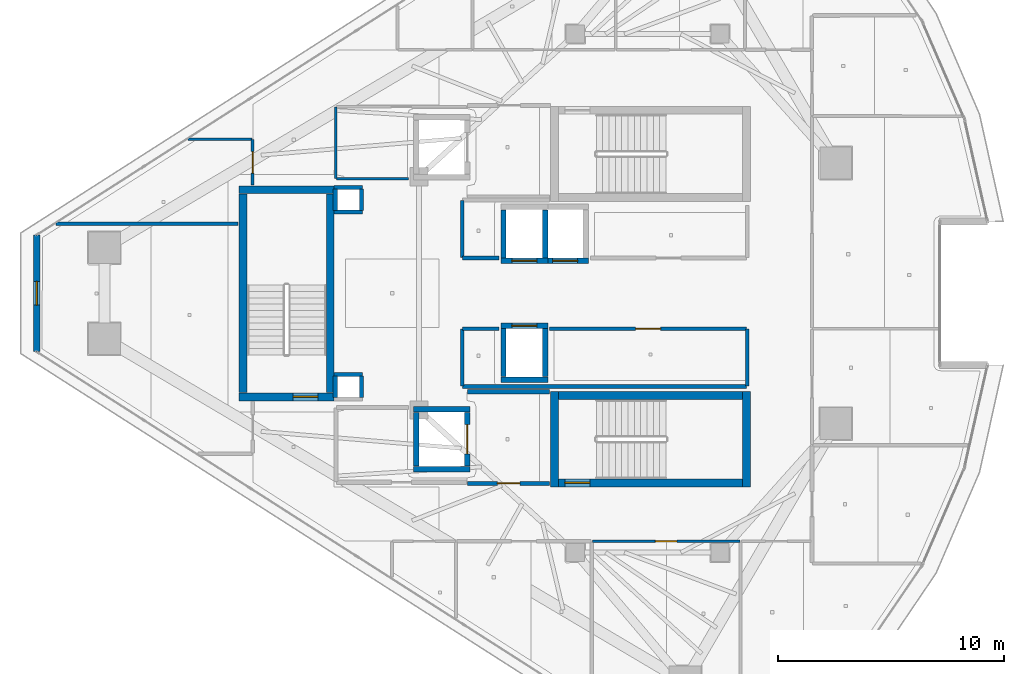
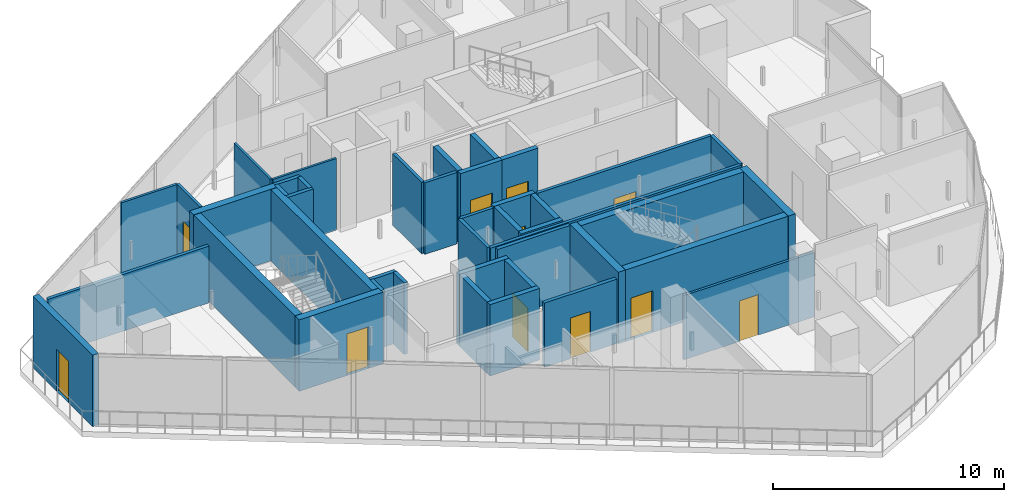
# One storey, part 18 of 26: 43 walls, 11 doors, 11 openings.
"""IFC4 building model written with IfcOpenShell, lengths in metres."""

from ifc_helpers import new_model, si_unit, direction, frame, frame_2d, origin, place, context, subcontext, project, spatial, rectangle, extrude, material, layer, layer_set, type_object, element, fill, save


model = new_model("IFC4")

# Units and contexts
model_context = context("Model", 3, precision=1e-05, world=origin(), true_north=direction((0.0, 1.0)))
body_context = subcontext(model_context, "Body", "Model", "MODEL_VIEW")
ifc_project = project(units=[si_unit("LENGTHUNIT", "METRE"), si_unit("AREAUNIT", "SQUARE_METRE"), si_unit("VOLUMEUNIT", "CUBIC_METRE"), si_unit("PLANEANGLEUNIT", "RADIAN"), si_unit("MASSUNIT", "GRAM", prefix="KILO")], contexts=[model_context])

# Site, building, storey
site_placement = place(None, origin())
site = spatial("IfcSite", under=ifc_project, at=site_placement, CompositionType="ELEMENT")
building_placement = place(site_placement, origin())
building = spatial("IfcBuilding", under=site, at=building_placement, Name="Qorvath Tower", CompositionType="ELEMENT")
storey_placement = place(building_placement, frame((0.0, 0.0, 322.800048828125)))
storey = spatial("IfcBuildingStorey", under=building, at=storey_placement, Name="L75", CompositionType="ELEMENT", Elevation=322.800048828125)

# Walls
ifc_material_1 = material(Name="Gypsum shaftliner on steel studs", Category="steel")
ifc_layer_1 = layer(ifc_material_1, 0.179931640625)
ifc_layer_set_1 = layer_set([ifc_layer_1], Name="FW-LOBBY")
wall_type_1 = type_object("IfcWallType", Name="FW-LOBBY", PredefinedType="PARTITIONING", material=ifc_layer_set_1)
for number, where, z_axis, x_axis, name in (
    (1, (-32.989990234375, 3.594970703125, 0.0), (0.0, 0.0, 1.0), (-1.0, 0.0, 0.0), "MEP Riser Shaft Enclosure Wall N-L75-S"),
    (2, (-34.260009765625, 4.675048828125, 0.0), (0.0, 0.0, 1.0), (1.0, 0.0, 0.0), "MEP Riser Shaft Enclosure Wall N-L75-N"),
):
    element("IfcWall", number, at=place(storey_placement, frame(where, z_axis=z_axis, x_axis=x_axis)), inside=storey, type_object=wall_type_1, Name=name, PredefinedType="PARTITIONING", context=body_context, shape_type="SweptSolid", body=[
        extrude(rectangle(XDim=1.27001953125, YDim=0.179931640625, at=frame_2d((0.635009765625, 0.0))), origin(), (0.0, 0.0, 1.0), 3.780029296875),
    ])
for number, where, z_axis, x_axis, name in (
    (3, (-34.205078125, 3.659912109375, 0.0), (0.0, 0.0, 1.0), (0.0, 1.0, 0.0), "MEP Riser Shaft Enclosure Wall N-L75-W"),
    (4, (-33.044921875, 4.610107421875, 0.0), (0.0, 0.0, 1.0), (0.0, -1.0, 0.0), "MEP Riser Shaft Enclosure Wall N-L75-E"),
):
    element("IfcWall", number, at=place(storey_placement, frame(where, z_axis=z_axis, x_axis=x_axis)), inside=storey, type_object=wall_type_1, Name=name, PredefinedType="PARTITIONING", context=body_context, shape_type="SweptSolid", body=[
        extrude(rectangle(XDim=0.9501953125, YDim=0.179931640625, at=frame_2d((0.47509765625, 0.0))), origin(), (0.0, 0.0, 1.0), 3.780029296875),
    ])
wall_1_placement = place(storey_placement, frame((-34.260009765625, -3.594970703125, 0.0), z_axis=(0.0, 0.0, 1.0), x_axis=(1.0, 0.0, 0.0)))
element("IfcWall", 5, at=wall_1_placement, inside=storey, type_object=wall_type_1, Name="MEP Riser Shaft Enclosure Wall S-L75-N", PredefinedType="PARTITIONING", context=body_context, shape_type="SweptSolid", body=[
    extrude(rectangle(XDim=1.27001953125, YDim=0.179931640625, at=frame_2d((0.635009765625, 0.0))), origin(), (0.0, 0.0, 1.0), 3.780029296875),
])
for number, where, z_axis, x_axis, name in (
    (6, (-34.205078125, -4.610107421875, 0.0), (0.0, 0.0, 1.0), (0.0, 1.0, 0.0), "MEP Riser Shaft Enclosure Wall S-L75-W"),
    (7, (-33.044921875, -3.659912109375, 0.0), (0.0, 0.0, 1.0), (0.0, -1.0, 0.0), "MEP Riser Shaft Enclosure Wall S-L75-E"),
):
    element("IfcWall", number, at=place(storey_placement, frame(where, z_axis=z_axis, x_axis=x_axis)), inside=storey, type_object=wall_type_1, Name=name, PredefinedType="PARTITIONING", context=body_context, shape_type="SweptSolid", body=[
        extrude(rectangle(XDim=0.9501953125, YDim=0.179931640625, at=frame_2d((0.47509765625, 0.0))), origin(), (0.0, 0.0, 1.0), 3.780029296875),
    ])

# Wall, opening, door
wall_2_placement = place(storey_placement, frame((-28.35498046875, -8.39990234375, 0.0), z_axis=(0.0, 0.0, 1.0), x_axis=(1.0, 0.0, 0.0)))
wall_2 = element("IfcWall", 8, at=wall_2_placement, inside=storey, type_object=wall_type_1, Name="Interior Partition IW-T1-L75-003", PredefinedType="PARTITIONING", context=body_context, shape_type="SweptSolid", body=[
    extrude(rectangle(XDim=3.6220703125, YDim=0.179931640625, at=frame_2d((1.81103515625, 0.0))), origin(), (0.0, 0.0, 1.0), 3.39892578125),
])
opening_1_placement = place(wall_2_placement, frame((1.31103515625, 0.0, 0.0)))
opening_1 = element("IfcOpeningElement", 9, at=opening_1_placement, cuts=wall_2, Name="Opening D-T1-L75-02", PredefinedType="OPENING", context=body_context, shape_type="SweptSolid", body=[
    extrude(rectangle(XDim=1.0, YDim=2.14990234375, at=frame_2d((0.5, 1.074951171875))), frame((0.0, 0.10009765625, 0.0), z_axis=(0.0, -1.0, 0.0), x_axis=(1.0, 0.0, 0.0)), (0.0, 0.0, 1.0), 0.199951171875),
])
ifc_material_2 = material(Name="Painted galvanised hollow metal", Category="steel")
door_type_1 = type_object("IfcDoorType", Name="FD-60", OperationType="NOTDEFINED", PredefinedType="DOOR", material=ifc_material_2)
door_1_placement = place(opening_1_placement, origin())
door_1 = element("IfcDoor", 10, at=door_1_placement, inside=storey, type_object=door_type_1, Name="Lobby Fire Service Elevator South Door D-T1-L75-02", OperationType="SINGLE_SWING_RIGHT", OverallHeight=2.14990234375, OverallWidth=1.0, PredefinedType="DOOR", context=body_context, shape_type="SweptSolid", body=[
    extrude(rectangle(XDim=1.0, YDim=2.14990234375, at=frame_2d((0.5, 1.074951171875))), frame((0.0, 0.02490234375, 0.0), z_axis=(0.0, -1.0, 0.0), x_axis=(1.0, 0.0, 0.0)), (0.0, 0.0, 1.0), 0.050048828125),
])
fill(opening_1, door_1)

# Walls
wall_3_placement = place(storey_placement, frame((-24.73291015625, -4.35009765625, 0.0), z_axis=(0.0, 0.0, 1.0), x_axis=(-1.0, 0.0, 0.0)))
element("IfcWall", 11, at=wall_3_placement, inside=storey, type_object=wall_type_1, Name="Interior Partition IW-T1-L75-004", PredefinedType="PARTITIONING", context=body_context, shape_type="SweptSolid", body=[
    extrude(rectangle(XDim=3.6220703125, YDim=0.179931640625, at=frame_2d((1.81103515625, 0.0))), origin(), (0.0, 0.0, 1.0), 3.780029296875),
])
ifc_material_3 = material(Name="Double acoustic gypsum board on steel studs", Category="steel")
ifc_layer_2 = layer(ifc_material_3, 0.159912109375)
ifc_layer_set_2 = layer_set([ifc_layer_2], Name="IW-ACOUSTIC-160")
wall_type_2 = type_object("IfcWallType", Name="IW-ACOUSTIC-160", PredefinedType="PARTITIONING", material=ifc_layer_set_2)
wall_4_placement = place(storey_placement, frame((-28.60009765625, 4.09521484375, 0.0), z_axis=(0.0, 0.0, 1.0), x_axis=(0.0, -1.0, 0.0)))
element("IfcWall", 12, at=wall_4_placement, inside=storey, type_object=wall_type_2, Name="Interior Partition IW-T1-L75-008", PredefinedType="PARTITIONING", context=body_context, shape_type="SweptSolid", body=[
    extrude(rectangle(XDim=2.510009765625, YDim=0.159912109375, at=frame_2d((1.2548828125, 0.0))), origin(), (0.0, 0.0, 1.0), 3.780029296875),
])
wall_5_placement = place(storey_placement, frame((-28.5751953125, 1.56005859375, 0.0), z_axis=(0.0, 0.0, 1.0), x_axis=(1.0, 0.0, 0.0)))
element("IfcWall", 13, at=wall_5_placement, inside=storey, type_object=wall_type_2, Name="Interior Partition IW-T1-L75-009", PredefinedType="PARTITIONING", context=body_context, shape_type="SweptSolid", body=[
    extrude(rectangle(XDim=1.609130859375, YDim=0.159912109375, at=frame_2d((0.8046875, 0.0))), origin(), (0.0, 0.0, 1.0), 3.780029296875),
])
wall_6_placement = place(storey_placement, frame((-28.60009765625, -1.585205078125, 0.0), z_axis=(0.0, 0.0, 1.0), x_axis=(0.0, -1.0, 0.0)))
element("IfcWall", 14, at=wall_6_placement, inside=storey, type_object=wall_type_2, Name="Interior Partition IW-T1-L75-013", PredefinedType="PARTITIONING", context=body_context, shape_type="SweptSolid", body=[
    extrude(rectangle(XDim=2.510009765625, YDim=0.159912109375, at=frame_2d((1.2548828125, 0.0))), origin(), (0.0, 0.0, 1.0), 3.780029296875),
])
wall_7_placement = place(storey_placement, frame((-28.5751953125, -4.1201171875, 0.0), z_axis=(0.0, 0.0, 1.0), x_axis=(1.0, 0.0, 0.0)))
element("IfcWall", 15, at=wall_7_placement, inside=storey, type_object=wall_type_2, Name="Interior Partition IW-T1-L75-014", PredefinedType="PARTITIONING", context=body_context, shape_type="SweptSolid", body=[
    extrude(rectangle(XDim=12.55029296875, YDim=0.159912109375, at=frame_2d((6.275146484375, 0.0))), origin(), (0.0, 0.0, 1.0), 3.780029296875),
])
wall_8_placement = place(storey_placement, frame((-16.0, -4.09521484375, 0.0), z_axis=(0.0, 0.0, 1.0), x_axis=(0.0, 1.0, 0.0)))
element("IfcWall", 16, at=wall_8_placement, inside=storey, type_object=wall_type_2, Name="Interior Partition IW-T1-L75-015", PredefinedType="PARTITIONING", context=body_context, shape_type="SweptSolid", body=[
    extrude(rectangle(XDim=2.510009765625, YDim=0.159912109375, at=frame_2d((1.2548828125, 0.0))), origin(), (0.0, 0.0, 1.0), 3.780029296875),
])

# Wall, opening, door
wall_9_placement = place(storey_placement, frame((-16.02490234375, -1.56005859375, 0.0), z_axis=(0.0, 0.0, 1.0), x_axis=(-1.0, 0.0, 0.0)))
wall_9 = element("IfcWall", 17, at=wall_9_placement, inside=storey, type_object=wall_type_2, Name="Interior Partition IW-T1-L75-016", PredefinedType="PARTITIONING", context=body_context, shape_type="SweptSolid", body=[
    extrude(rectangle(XDim=8.708984375, YDim=0.159912109375, at=frame_2d((4.3544921875, 0.0))), origin(), (0.0, 0.0, 1.0), 3.780029296875),
])
opening_2_placement = place(wall_9_placement, frame((3.804443359375, 0.0, 0.0)))
opening_2 = element("IfcOpeningElement", 18, at=opening_2_placement, cuts=wall_9, Name="Opening D-T1-L75-05", PredefinedType="OPENING", context=body_context, shape_type="SweptSolid", body=[
    extrude(rectangle(XDim=1.10009765625, YDim=2.14990234375, at=frame_2d((0.550048828125, 1.074951171875))), frame((0.0, 0.08984375, 0.0), z_axis=(0.0, -1.0, 0.0), x_axis=(1.0, 0.0, 0.0)), (0.0, 0.0, 1.0), 0.179931640625),
])
ifc_material_4 = material(Name="Anodised aluminium acoustic framed glass", Category="aluminium")
door_type_2 = type_object("IfcDoorType", Name="D-03", OperationType="NOTDEFINED", PredefinedType="DOOR", material=ifc_material_4)
door_2_placement = place(opening_2_placement, origin())
door_2 = element("IfcDoor", 19, at=door_2_placement, inside=storey, type_object=door_type_2, Name="L75-RCS South Executive Boardroom Door D-T1-L75-05", OperationType="SINGLE_SWING_LEFT", OverallHeight=2.14990234375, OverallWidth=1.10009765625, PredefinedType="DOOR", context=body_context, shape_type="SweptSolid", body=[
    extrude(rectangle(XDim=1.10009765625, YDim=2.14990234375, at=frame_2d((0.550048828125, 1.074951171875))), frame((0.0, 0.02490234375, 0.0), z_axis=(0.0, -1.0, 0.0), x_axis=(1.0, 0.0, 0.0)), (0.0, 0.0, 1.0), 0.050048828125),
])
fill(opening_2, door_2)

# Walls
wall_10_placement = place(storey_placement, frame((-26.966064453125, -1.56005859375, 0.0), z_axis=(0.0, 0.0, 1.0), x_axis=(-1.0, 0.0, 0.0)))
element("IfcWall", 20, at=wall_10_placement, inside=storey, type_object=wall_type_2, Name="Interior Partition IW-T1-L75-017", PredefinedType="PARTITIONING", context=body_context, shape_type="SweptSolid", body=[
    extrude(rectangle(XDim=1.609130859375, YDim=0.159912109375, at=frame_2d((0.8046875, 0.0))), origin(), (0.0, 0.0, 1.0), 3.780029296875),
])
wall_11_placement = place(storey_placement, frame((-38.492919921875, 3.073974609375, 0.0), z_axis=(0.0, 0.0, 1.0), x_axis=(-0.99999999954, -3.0323246e-05, 0.0)))
element("IfcWall", 21, at=wall_11_placement, inside=storey, type_object=wall_type_2, Name="Interior Partition IW-T1-L75-048", PredefinedType="PARTITIONING", context=body_context, shape_type="SweptSolid", body=[
    extrude(rectangle(XDim=8.05126953125, YDim=0.159912109375, at=frame_2d((4.025634765625, 0.0))), origin(), (0.0, 0.0, 1.0), 3.0),
])

# Wall, opening, door
ifc_material_5 = material(Name="Gypsum board on metal studs with mineral wool", Category="gypsum")
ifc_layer_3 = layer(ifc_material_5, 0.125)
ifc_layer_set_3 = layer_set([ifc_layer_3], Name="IW-PART-125")
wall_type_3 = type_object("IfcWallType", Name="IW-PART-125", PredefinedType="PARTITIONING", material=ifc_layer_set_3)
wall_12_placement = place(storey_placement, frame((-16.321533203125, -10.9580078125, 0.0), z_axis=(0.0, 0.0, 1.0), x_axis=(-1.0, 0.0, 0.0)))
wall_12 = element("IfcWall", 22, at=wall_12_placement, inside=storey, type_object=wall_type_3, Name="Interior Partition IW-T1-L75-036", PredefinedType="PARTITIONING", context=body_context, shape_type="SweptSolid", body=[
    extrude(rectangle(XDim=6.5224609375, YDim=0.125, at=frame_2d((3.26123046875, 0.0))), origin(), (0.0, 0.0, 1.0), 3.39892578125),
])
opening_3_placement = place(wall_12_placement, frame((2.7861328125, 0.0, 0.0)))
opening_3 = element("IfcOpeningElement", 23, at=opening_3_placement, cuts=wall_12, Name="Opening D-T1-L75-13", PredefinedType="OPENING", context=body_context, shape_type="SweptSolid", body=[
    extrude(rectangle(XDim=0.949951171875, YDim=2.14990234375, at=frame_2d((0.47509765625, 1.074951171875))), frame((0.0, 0.072509765625, 0.0), z_axis=(0.0, -1.0, 0.0), x_axis=(1.0, 0.0, 0.0)), (0.0, 0.0, 1.0), 0.14501953125),
])
ifc_material_6 = material(Name="Solid-core American white oak veneer", Category="wood")
door_type_3 = type_object("IfcDoorType", Name="D-01", OperationType="NOTDEFINED", PredefinedType="DOOR", material=ifc_material_6)
door_3_placement = place(opening_3_placement, origin())
door_3 = element("IfcDoor", 24, at=door_3_placement, inside=storey, type_object=door_type_3, Name="L75-07 Open Workplace Studio Door D-T1-L75-13", OperationType="SINGLE_SWING_LEFT", OverallHeight=2.14990234375, OverallWidth=0.949951171875, PredefinedType="DOOR", context=body_context, shape_type="SweptSolid", body=[
    extrude(rectangle(XDim=0.949951171875, YDim=2.14990234375, at=frame_2d((0.47509765625, 1.074951171875))), frame((0.0, 0.02490234375, 0.0), z_axis=(0.0, -1.0, 0.0), x_axis=(1.0, 0.0, 0.0)), (0.0, 0.0, 1.0), 0.050048828125),
])
fill(opening_3, door_3)

wall_13_placement = place(storey_placement, frame((-37.85791015625, 4.783203125, 0.0), z_axis=(0.0, 0.0, 1.0), x_axis=(0.0, 1.0, 0.0)))
wall_13 = element("IfcWall", 25, at=wall_13_placement, inside=storey, type_object=wall_type_3, Name="Interior Partition IW-T1-L75-050", PredefinedType="PARTITIONING", context=body_context, shape_type="SweptSolid", body=[
    extrude(rectangle(XDim=2.00048828125, YDim=0.125, at=frame_2d((1.000244140625, 0.0))), origin(), (0.0, 0.0, 1.0), 3.780029296875),
])
opening_4_placement = place(wall_13_placement, frame((0.525146484375, 0.0, 0.0)))
opening_4 = element("IfcOpeningElement", 26, at=opening_4_placement, cuts=wall_13, Name="Opening D-T1-L75-20", PredefinedType="OPENING", context=body_context, shape_type="SweptSolid", body=[
    extrude(rectangle(XDim=0.949951171875, YDim=2.14990234375, at=frame_2d((0.47509765625, 1.074951171875))), frame((0.0, 0.072509765625, 0.0), z_axis=(0.0, -1.0, 0.0), x_axis=(1.0, 0.0, 0.0)), (0.0, 0.0, 1.0), 0.14501953125),
])
door_4_placement = place(opening_4_placement, origin())
door_4 = element("IfcDoor", 27, at=door_4_placement, inside=storey, type_object=door_type_3, Name="L75-14 Engineering Documentation Suite Door D-T1-L75-20", OperationType="SINGLE_SWING_RIGHT", OverallHeight=2.14990234375, OverallWidth=0.949951171875, PredefinedType="DOOR", context=body_context, shape_type="SweptSolid", body=[
    extrude(rectangle(XDim=0.949951171875, YDim=2.14990234375, at=frame_2d((0.47509765625, 1.074951171875))), frame((0.0, 0.02490234375, 0.0), z_axis=(0.0, -1.0, 0.0), x_axis=(1.0, 0.0, 0.0)), (0.0, 0.0, 1.0), 0.050048828125),
])
fill(opening_4, door_4)

# Walls
wall_14_placement = place(storey_placement, frame((-37.8828125, 6.80859375, 0.0), z_axis=(0.0, 0.0, 1.0), x_axis=(-1.0, 0.0, 0.0)))
element("IfcWall", 28, at=wall_14_placement, inside=storey, type_object=wall_type_3, Name="Interior Partition IW-T1-L75-051", PredefinedType="PARTITIONING", context=body_context, shape_type="SweptSolid", body=[
    extrude(rectangle(XDim=2.817626953125, YDim=0.125, at=frame_2d((1.40869140625, 0.0))), origin(), (0.0, 0.0, 1.0), 3.780029296875),
])
ifc_material_7 = material(Name="Moisture-resistant cement board on metal studs", Category="gypsum")
ifc_layer_4 = layer(ifc_material_7, 0.110107421875)
ifc_layer_set_4 = layer_set([ifc_layer_4], Name="IW-WC-110")
wall_type_4 = type_object("IfcWallType", Name="IW-WC-110", PredefinedType="PARTITIONING", material=ifc_layer_set_4)
wall_15_placement = place(storey_placement, frame((-34.179931640625, 8.22509765625, 0.0), z_axis=(0.0, 0.0, 1.0), x_axis=(0.0, -1.0, 0.0)))
element("IfcWall", 29, at=wall_15_placement, inside=storey, type_object=wall_type_4, Name="Interior Partition IW-T1-L75-005", PredefinedType="PARTITIONING", context=body_context, shape_type="SweptSolid", body=[
    extrude(rectangle(XDim=3.150146484375, YDim=0.110107421875, at=frame_2d((1.5751953125, 0.0))), origin(), (0.0, 0.0, 1.0), 3.780029296875),
])
wall_16_placement = place(storey_placement, frame((-34.15478515625, 5.050048828125, 0.0), z_axis=(0.0, 0.0, 1.0), x_axis=(1.0, 0.0, 0.0)))
element("IfcWall", 30, at=wall_16_placement, inside=storey, type_object=wall_type_4, Name="Interior Partition IW-T1-L75-006", PredefinedType="PARTITIONING", context=body_context, shape_type="SweptSolid", body=[
    extrude(rectangle(XDim=3.189697265625, YDim=0.110107421875, at=frame_2d((1.5947265625, 0.0))), origin(), (0.0, 0.0, 1.0), 3.780029296875),
])
ifc_material_8 = material(Name="Concrete C60/75", Category="concrete")
ifc_layer_5 = layer(ifc_material_8, 0.260009765625)
ifc_layer_set_5 = layer_set([ifc_layer_5], Name="SW-SHAFT")
wall_type_5 = type_object("IfcWallType", Name="SW-SHAFT", PredefinedType="SHEAR", material=ifc_layer_set_5)
for number, where, z_axis, x_axis, name in (
    (31, (-28.260009765625, -7.77001953125, 0.0), (0.0, 0.0, 1.0), (-1.0, 0.0, 0.0), "Hoistway Wall FSAE-2 L75 S"),
    (32, (-30.739990234375, -5.1298828125, 0.0), (0.0, 0.0, 1.0), (1.0, 0.0, 0.0), "Hoistway Wall FSAE-2 L75 N"),
):
    element("IfcWall", number, at=place(storey_placement, frame(where, z_axis=z_axis, x_axis=x_axis)), inside=storey, type_object=wall_type_5, Name=name, PredefinedType="SHEAR", context=body_context, shape_type="SweptSolid", body=[
        extrude(rectangle(XDim=2.47998046875, YDim=0.239990234375, at=frame_2d((1.239990234375, 0.0))), origin(), (0.0, 0.0, 1.0), 3.780029296875),
    ])
wall_17_placement = place(storey_placement, frame((-30.6201171875, -7.637939453125, 0.0), z_axis=(0.0, 0.0, 1.0), x_axis=(0.0, 1.0, 0.0)))
element("IfcWall", 33, at=wall_17_placement, inside=storey, type_object=wall_type_5, Name="Hoistway Wall FSAE-2 L75 W", PredefinedType="SHEAR", context=body_context, shape_type="SweptSolid", body=[
    extrude(rectangle(XDim=2.3759765625, YDim=0.239990234375, at=frame_2d((1.18798828125, 0.0))), origin(), (0.0, 0.0, 1.0), 3.780029296875),
])

# Wall, opening, door
wall_18_placement = place(storey_placement, frame((-28.3798828125, -5.261962890625, 0.0), z_axis=(0.0, 0.0, 1.0), x_axis=(0.0, -1.0, 0.0)))
wall_18 = element("IfcWall", 34, at=wall_18_placement, inside=storey, type_object=wall_type_5, Name="Hoistway Wall FSAE-2 L75 E", PredefinedType="SHEAR", context=body_context, shape_type="SweptSolid", body=[
    extrude(rectangle(XDim=2.3759765625, YDim=0.239990234375, at=frame_2d((1.18798828125, 0.0))), origin(), (0.0, 0.0, 1.0), 3.780029296875),
])
opening_5_placement = place(wall_18_placement, frame((0.5380859375, 0.0, 0.0)))
opening_5 = element("IfcOpeningElement", 35, at=opening_5_placement, cuts=wall_18, Name="Opening LD-FSAE-2-L75", PredefinedType="OPENING", context=body_context, shape_type="SweptSolid", body=[
    extrude(rectangle(XDim=1.300048828125, YDim=2.300048828125, at=frame_2d((0.64990234375, 1.14990234375))), frame((0.0, 0.1298828125, 0.0), z_axis=(0.0, -1.0, 0.0), x_axis=(1.0, 0.0, 0.0)), (0.0, 0.0, 1.0), 0.260009765625),
])
ifc_material_9 = material(Name="Brushed stainless steel AISI 316", Category="steel")
door_type_4 = type_object("IfcDoorType", Name="LD-02", OperationType="NOTDEFINED", PredefinedType="DOOR", material=ifc_material_9)
door_5_placement = place(opening_5_placement, origin())
door_5 = element("IfcDoor", 36, at=door_5_placement, inside=storey, type_object=door_type_4, Name="Elevator Landing Sliding Door LD-FSAE-2-L75", OperationType="DOUBLE_DOOR_SLIDING", OverallHeight=2.300048828125, OverallWidth=1.300048828125, PredefinedType="DOOR", context=body_context, shape_type="SweptSolid", body=[
    extrude(rectangle(XDim=1.300048828125, YDim=2.300048828125, at=frame_2d((0.64990234375, 1.14990234375))), frame((0.0, 0.02490234375, 0.0), z_axis=(0.0, -1.0, 0.0), x_axis=(1.0, 0.0, 0.0)), (0.0, 0.0, 1.0), 0.050048828125),
])
fill(opening_5, door_5)

wall_19_placement = place(storey_placement, frame((-24.81005859375, 1.429931640625, 0.0), z_axis=(0.0, 0.0, 1.0), x_axis=(-1.0, 0.0, 0.0)))
wall_19 = element("IfcWall", 37, at=wall_19_placement, inside=storey, type_object=wall_type_5, Name="Hoistway Wall PH-1 L75 S", PredefinedType="SHEAR", context=body_context, shape_type="SweptSolid", body=[
    extrude(rectangle(XDim=2.079833984375, YDim=0.239990234375, at=frame_2d((1.0400390625, 0.0))), origin(), (0.0, 0.0, 1.0), 3.780029296875),
])
opening_6_placement = place(wall_19_placement, frame((0.489990234375, 0.0, 0.0)))
opening_6 = element("IfcOpeningElement", 38, at=opening_6_placement, cuts=wall_19, Name="Opening LD-PH-1-L75", PredefinedType="OPENING", context=body_context, shape_type="SweptSolid", body=[
    extrude(rectangle(XDim=1.10009765625, YDim=2.199951171875, at=frame_2d((0.550048828125, 1.10009765625))), frame((0.0, 0.1298828125, 0.0), z_axis=(0.0, -1.0, 0.0), x_axis=(1.0, 0.0, 0.0)), (0.0, 0.0, 1.0), 0.260009765625),
])
ifc_material_10 = material(Name="Brushed stainless steel AISI 316", Category="steel")
door_type_5 = type_object("IfcDoorType", Name="LD-01", OperationType="NOTDEFINED", PredefinedType="DOOR", material=ifc_material_10)
door_6_placement = place(opening_6_placement, origin())
door_6 = element("IfcDoor", 39, at=door_6_placement, inside=storey, type_object=door_type_5, Name="Elevator Landing Sliding Door LD-PH-1-L75", OperationType="DOUBLE_DOOR_SLIDING", OverallHeight=2.199951171875, OverallWidth=1.10009765625, PredefinedType="DOOR", context=body_context, shape_type="SweptSolid", body=[
    extrude(rectangle(XDim=1.10009765625, YDim=2.199951171875, at=frame_2d((0.550048828125, 1.10009765625))), frame((0.0, 0.02490234375, 0.0), z_axis=(0.0, -1.0, 0.0), x_axis=(1.0, 0.0, 0.0)), (0.0, 0.0, 1.0), 0.050048828125),
])
fill(opening_6, door_6)

# Walls
for number, where, z_axis, x_axis, name in (
    (40, (-26.77001953125, 1.56201171875, 0.0), (0.0, 0.0, 1.0), (0.0, 1.0, 0.0), "Hoistway Wall PH-1 L75 W"),
    (41, (-24.929931640625, 3.68798828125, 0.0), (0.0, 0.0, 1.0), (0.0, -1.0, 0.0), "Hoistway Wall PH-1 L75 E"),
):
    element("IfcWall", number, at=place(storey_placement, frame(where, z_axis=z_axis, x_axis=x_axis)), inside=storey, type_object=wall_type_5, Name=name, PredefinedType="SHEAR", context=body_context, shape_type="SweptSolid", body=[
        extrude(rectangle(XDim=2.1259765625, YDim=0.239990234375, at=frame_2d((1.06298828125, 0.0))), origin(), (0.0, 0.0, 1.0), 3.780029296875),
    ])

# Wall, opening, door
wall_20_placement = place(storey_placement, frame((-23.010009765625, 1.429931640625, 0.0), z_axis=(0.0, 0.0, 1.0), x_axis=(-1.0, 0.0, 0.0)))
wall_20 = element("IfcWall", 42, at=wall_20_placement, inside=storey, type_object=wall_type_5, Name="Hoistway Wall PH-2 L75 S", PredefinedType="SHEAR", context=body_context, shape_type="SweptSolid", body=[
    extrude(rectangle(XDim=1.800048828125, YDim=0.239990234375, at=frame_2d((0.89990234375, 0.0))), origin(), (0.0, 0.0, 1.0), 3.780029296875),
])
opening_7_placement = place(wall_20_placement, frame((0.489990234375, 0.0, 0.0)))
opening_7 = element("IfcOpeningElement", 43, at=opening_7_placement, cuts=wall_20, Name="Opening LD-PH-2-L75", PredefinedType="OPENING", context=body_context, shape_type="SweptSolid", body=[
    extrude(rectangle(XDim=1.10009765625, YDim=2.199951171875, at=frame_2d((0.550048828125, 1.10009765625))), frame((0.0, 0.1298828125, 0.0), z_axis=(0.0, -1.0, 0.0), x_axis=(1.0, 0.0, 0.0)), (0.0, 0.0, 1.0), 0.260009765625),
])
door_7_placement = place(opening_7_placement, origin())
door_7 = element("IfcDoor", 44, at=door_7_placement, inside=storey, type_object=door_type_5, Name="Elevator Landing Sliding Door LD-PH-2-L75", OperationType="DOUBLE_DOOR_SLIDING", OverallHeight=2.199951171875, OverallWidth=1.10009765625, PredefinedType="DOOR", context=body_context, shape_type="SweptSolid", body=[
    extrude(rectangle(XDim=1.10009765625, YDim=2.199951171875, at=frame_2d((0.550048828125, 1.10009765625))), frame((0.0, 0.02490234375, 0.0), z_axis=(0.0, -1.0, 0.0), x_axis=(1.0, 0.0, 0.0)), (0.0, 0.0, 1.0), 0.050048828125),
])
fill(opening_7, door_7)

# Wall
wall_21_placement = place(storey_placement, frame((-24.81005859375, -3.820068359375, 0.0), z_axis=(0.0, 0.0, 1.0), x_axis=(-1.0, 0.0, 0.0)))
element("IfcWall", 45, at=wall_21_placement, inside=storey, type_object=wall_type_5, Name="Hoistway Wall PH-3 L75 S", PredefinedType="SHEAR", context=body_context, shape_type="SweptSolid", body=[
    extrude(rectangle(XDim=2.079833984375, YDim=0.239990234375, at=frame_2d((1.0400390625, 0.0))), origin(), (0.0, 0.0, 1.0), 3.780029296875),
])

# Wall, opening, door
wall_22_placement = place(storey_placement, frame((-26.889892578125, -1.429931640625, 0.0), z_axis=(0.0, 0.0, 1.0), x_axis=(1.0, 0.0, 0.0)))
wall_22 = element("IfcWall", 46, at=wall_22_placement, inside=storey, type_object=wall_type_5, Name="Hoistway Wall PH-3 L75 N", PredefinedType="SHEAR", context=body_context, shape_type="SweptSolid", body=[
    extrude(rectangle(XDim=2.079833984375, YDim=0.239990234375, at=frame_2d((1.0400390625, 0.0))), origin(), (0.0, 0.0, 1.0), 3.780029296875),
])
opening_8_placement = place(wall_22_placement, frame((0.48974609375, 0.0, 0.0)))
opening_8 = element("IfcOpeningElement", 47, at=opening_8_placement, cuts=wall_22, Name="Opening LD-PH-3-L75", PredefinedType="OPENING", context=body_context, shape_type="SweptSolid", body=[
    extrude(rectangle(XDim=1.10009765625, YDim=2.199951171875, at=frame_2d((0.550048828125, 1.10009765625))), frame((0.0, 0.1298828125, 0.0), z_axis=(0.0, -1.0, 0.0), x_axis=(1.0, 0.0, 0.0)), (0.0, 0.0, 1.0), 0.260009765625),
])
door_8_placement = place(opening_8_placement, origin())
door_8 = element("IfcDoor", 48, at=door_8_placement, inside=storey, type_object=door_type_5, Name="Elevator Landing Sliding Door LD-PH-3-L75", OperationType="DOUBLE_DOOR_SLIDING", OverallHeight=2.199951171875, OverallWidth=1.10009765625, PredefinedType="DOOR", context=body_context, shape_type="SweptSolid", body=[
    extrude(rectangle(XDim=1.10009765625, YDim=2.199951171875, at=frame_2d((0.550048828125, 1.10009765625))), frame((0.0, 0.02490234375, 0.0), z_axis=(0.0, -1.0, 0.0), x_axis=(1.0, 0.0, 0.0)), (0.0, 0.0, 1.0), 0.050048828125),
])
fill(opening_8, door_8)

# Walls
for number, where, z_axis, x_axis, name in (
    (49, (-26.77001953125, -3.68798828125, 0.0), (0.0, 0.0, 1.0), (0.0, 1.0, 0.0), "Hoistway Wall PH-3 L75 W"),
    (50, (-24.929931640625, -1.56201171875, 0.0), (0.0, 0.0, 1.0), (0.0, -1.0, 0.0), "Hoistway Wall PH-3 L75 E"),
):
    element("IfcWall", number, at=place(storey_placement, frame(where, z_axis=z_axis, x_axis=x_axis)), inside=storey, type_object=wall_type_5, Name=name, PredefinedType="SHEAR", context=body_context, shape_type="SweptSolid", body=[
        extrude(rectangle(XDim=2.1259765625, YDim=0.239990234375, at=frame_2d((1.06298828125, 0.0))), origin(), (0.0, 0.0, 1.0), 3.780029296875),
    ])
ifc_material_11 = material(Name="Concrete C60/75", Category="concrete")
ifc_layer_6 = layer(ifc_material_11, 0.35009765625)
ifc_layer_set_6 = layer_set([ifc_layer_6], Name="SW-STAIR")
wall_type_6 = type_object("IfcWallType", Name="SW-STAIR", PredefinedType="SHEAR", material=ifc_layer_set_6)
for number, where, z_axis, x_axis, name in (
    (51, (-24.52490234375, -4.340087890625, 0.0), (0.0, 0.0, 1.0), (0.0, -1.0, 0.0), "Stair TS2 Shear Wall L75 NEAR"),
    (52, (-16.02490234375, -8.550048828125, 0.0), (0.0, 0.0, 1.0), (0.0, 1.0, 0.0), "Stair TS2 Shear Wall L75 FAR"),
):
    element("IfcWall", number, at=place(storey_placement, frame(where, z_axis=z_axis, x_axis=x_axis)), inside=storey, type_object=wall_type_6, Name=name, PredefinedType="SHEAR", context=body_context, shape_type="SweptSolid", body=[
        extrude(rectangle(XDim=4.2099609375, YDim=0.35009765625, at=frame_2d((2.10498046875, 0.0))), origin(), (0.0, 0.0, 1.0), 3.780029296875),
    ])

# Wall, opening, door
wall_23_placement = place(storey_placement, frame((-24.3349609375, -8.375, 0.0), z_axis=(0.0, 0.0, 1.0), x_axis=(1.0, 0.0, 0.0)))
wall_23 = element("IfcWall", 53, at=wall_23_placement, inside=storey, type_object=wall_type_6, Name="Stair TS2 Shear Wall L75 LEFT", PredefinedType="SHEAR", context=body_context, shape_type="SweptSolid", body=[
    extrude(rectangle(XDim=8.119873046875, YDim=0.35009765625, at=frame_2d((4.06005859375, 0.0))), origin(), (0.0, 0.0, 1.0), 3.780029296875),
])
opening_9_placement = place(wall_23_placement, frame((0.280029296875, 0.0, 0.0)))
opening_9 = element("IfcOpeningElement", 54, at=opening_9_placement, cuts=wall_23, Name="Opening D-TS2-L75", PredefinedType="OPENING", context=body_context, shape_type="SweptSolid", body=[
    extrude(rectangle(XDim=1.10009765625, YDim=2.199951171875, at=frame_2d((0.550048828125, 1.10009765625))), frame((0.0, 0.18505859375, 0.0), z_axis=(0.0, -1.0, 0.0), x_axis=(1.0, 0.0, 0.0)), (0.0, 0.0, 1.0), 0.3701171875),
])
ifc_material_12 = material(Name="Painted galvanised hollow metal", Category="steel")
door_type_6 = type_object("IfcDoorType", Name="FD-90", OperationType="NOTDEFINED", PredefinedType="DOOR", material=ifc_material_12)
door_9_placement = place(opening_9_placement, origin())
door_9 = element("IfcDoor", 55, at=door_9_placement, inside=storey, type_object=door_type_6, Name="Stair TS2 Fire Door L75", OperationType="SINGLE_SWING_RIGHT", OverallHeight=2.199951171875, OverallWidth=1.10009765625, PredefinedType="DOOR", context=body_context, shape_type="SweptSolid", body=[
    extrude(rectangle(XDim=1.10009765625, YDim=2.199951171875, at=frame_2d((0.550048828125, 1.10009765625))), frame((0.0, 0.02490234375, 0.0), z_axis=(0.0, -1.0, 0.0), x_axis=(1.0, 0.0, 0.0)), (0.0, 0.0, 1.0), 0.050048828125),
])
fill(opening_9, door_9)

# Wall
wall_24_placement = place(storey_placement, frame((-16.215087890625, -4.514892578125, 0.0), z_axis=(0.0, 0.0, 1.0), x_axis=(-1.0, 0.0, 0.0)))
element("IfcWall", 56, at=wall_24_placement, inside=storey, type_object=wall_type_6, Name="Stair TS2 Shear Wall L75 RIGHT", PredefinedType="SHEAR", context=body_context, shape_type="SweptSolid", body=[
    extrude(rectangle(XDim=8.119873046875, YDim=0.35009765625, at=frame_2d((4.06005859375, 0.0))), origin(), (0.0, 0.0, 1.0), 3.780029296875),
])

# Wall, opening, door
wall_25_placement = place(storey_placement, frame((-38.4599609375, -4.574951171875, 0.0), z_axis=(0.0, 0.0, 1.0), x_axis=(1.0, 0.0, 0.0)))
wall_25 = element("IfcWall", 57, at=wall_25_placement, inside=storey, type_object=wall_type_6, Name="Stair TS3 Shear Wall L75 NEAR", PredefinedType="SHEAR", context=body_context, shape_type="SweptSolid", body=[
    extrude(rectangle(XDim=4.2099609375, YDim=0.35009765625, at=frame_2d((2.10498046875, 0.0))), origin(), (0.0, 0.0, 1.0), 3.780029296875),
])
opening_10_placement = place(wall_25_placement, frame((2.389892578125, 0.0, 0.0)))
opening_10 = element("IfcOpeningElement", 58, at=opening_10_placement, cuts=wall_25, Name="Opening D-TS3-L75", PredefinedType="OPENING", context=body_context, shape_type="SweptSolid", body=[
    extrude(rectangle(XDim=1.10009765625, YDim=2.199951171875, at=frame_2d((0.550048828125, 1.10009765625))), frame((0.0, 0.18505859375, 0.0), z_axis=(0.0, -1.0, 0.0), x_axis=(1.0, 0.0, 0.0)), (0.0, 0.0, 1.0), 0.3701171875),
])
door_10_placement = place(opening_10_placement, origin())
door_10 = element("IfcDoor", 59, at=door_10_placement, inside=storey, type_object=door_type_6, Name="Stair TS3 Fire Door L75", OperationType="SINGLE_SWING_RIGHT", OverallHeight=2.199951171875, OverallWidth=1.10009765625, PredefinedType="DOOR", context=body_context, shape_type="SweptSolid", body=[
    extrude(rectangle(XDim=1.10009765625, YDim=2.199951171875, at=frame_2d((0.550048828125, 1.10009765625))), frame((0.0, 0.02490234375, 0.0), z_axis=(0.0, -1.0, 0.0), x_axis=(1.0, 0.0, 0.0)), (0.0, 0.0, 1.0), 0.050048828125),
])
fill(opening_10, door_10)

# Walls
wall_26_placement = place(storey_placement, frame((-34.25, 4.574951171875, 0.0), z_axis=(0.0, 0.0, 1.0), x_axis=(-1.0, 0.0, 0.0)))
element("IfcWall", 60, at=wall_26_placement, inside=storey, type_object=wall_type_6, Name="Stair TS3 Shear Wall L75 FAR", PredefinedType="SHEAR", context=body_context, shape_type="SweptSolid", body=[
    extrude(rectangle(XDim=4.2099609375, YDim=0.35009765625, at=frame_2d((2.10498046875, 0.0))), origin(), (0.0, 0.0, 1.0), 3.780029296875),
])
for number, where, z_axis, x_axis, name in (
    (61, (-34.425048828125, -4.385009765625, 0.0), (0.0, 0.0, 1.0), (0.0, 1.0, 0.0), "Stair TS3 Shear Wall L75 LEFT"),
    (62, (-38.284912109375, 4.385009765625, 0.0), (0.0, 0.0, 1.0), (0.0, -1.0, 0.0), "Stair TS3 Shear Wall L75 RIGHT"),
):
    element("IfcWall", number, at=place(storey_placement, frame(where, z_axis=z_axis, x_axis=x_axis)), inside=storey, type_object=wall_type_6, Name=name, PredefinedType="SHEAR", context=body_context, shape_type="SweptSolid", body=[
        extrude(rectangle(XDim=8.77001953125, YDim=0.35009765625, at=frame_2d((4.385009765625, 0.0))), origin(), (0.0, 0.0, 1.0), 3.780029296875),
    ])

# Wall, opening, door
ifc_material_13 = material(Name="Precast concrete C45/55", Category="concrete")
ifc_layer_7 = layer(ifc_material_13, 0.300048828125)
ifc_layer_set_7 = layer_set([ifc_layer_7], Name="WL-EW-LOG-300")
wall_type_7 = type_object("IfcWallType", Name="WL-EW-LOG-300", PredefinedType="SOLIDWALL", material=ifc_layer_set_7)
wall_27_placement = place(storey_placement, frame((-47.393310546875, -2.58203125, 0.0), z_axis=(0.0, 0.0, 1.0), x_axis=(0.0, 1.0, 0.0)))
wall_27 = element("IfcWall", 63, at=wall_27_placement, inside=storey, type_object=wall_type_7, Name="Tower Precast Loggia Wall L75-1.1", PredefinedType="SOLIDWALL", context=body_context, shape_type="SweptSolid", body=[
    extrude(rectangle(XDim=5.1640625, YDim=0.300048828125, at=frame_2d((2.58203125, 0.0))), origin(), (0.0, 0.0, 1.0), 3.780029296875),
])
opening_11_placement = place(wall_27_placement, frame((2.056884765625, 0.0, 0.0)))
opening_11 = element("IfcOpeningElement", 64, at=opening_11_placement, cuts=wall_27, Name="Opening ED-L75-01", PredefinedType="OPENING", context=body_context, shape_type="SweptSolid", body=[
    extrude(rectangle(XDim=1.050048828125, YDim=2.199951171875, at=frame_2d((0.52490234375, 1.10009765625))), frame((0.0, 0.16015625, 0.0), z_axis=(0.0, -1.0, 0.0), x_axis=(1.0, 0.0, 0.0)), (0.0, 0.0, 1.0), 0.320068359375),
])
ifc_material_14 = material(Name="Thermally broken aluminium glazed door", Category="aluminium")
door_type_7 = type_object("IfcDoorType", Name="ED-LOG", OperationType="NOTDEFINED", PredefinedType="DOOR", material=ifc_material_14)
door_11_placement = place(opening_11_placement, origin())
door_11 = element("IfcDoor", 65, at=door_11_placement, inside=storey, type_object=door_type_7, Name="L75 Recessed Loggia Access Door 1", OperationType="SINGLE_SWING_LEFT", OverallHeight=2.199951171875, OverallWidth=1.050048828125, PredefinedType="DOOR", context=body_context, shape_type="SweptSolid", body=[
    extrude(rectangle(XDim=1.050048828125, YDim=2.199951171875, at=frame_2d((0.52490234375, 1.10009765625))), frame((0.0, 0.02490234375, 0.0), z_axis=(0.0, -1.0, 0.0), x_axis=(1.0, 0.0, 0.0)), (0.0, 0.0, 1.0), 0.050048828125),
])
fill(opening_11, door_11)

save(model, "model.ifc")
